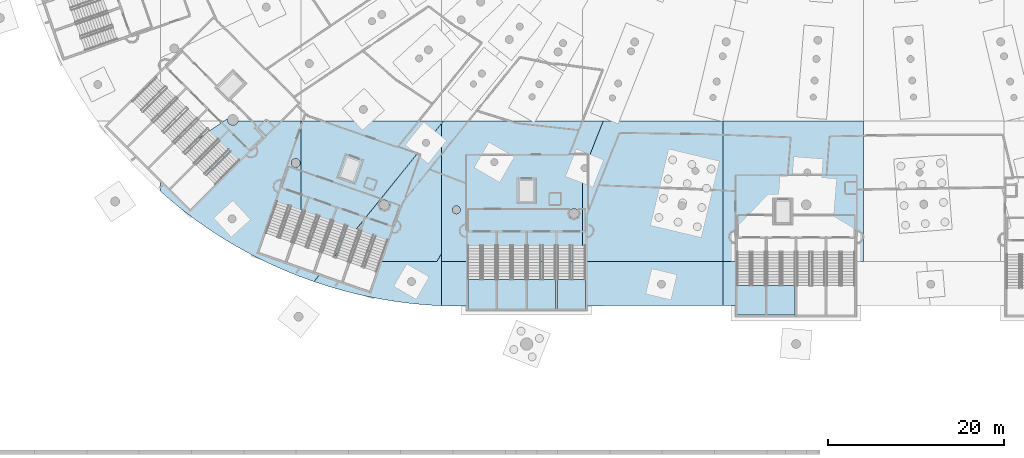
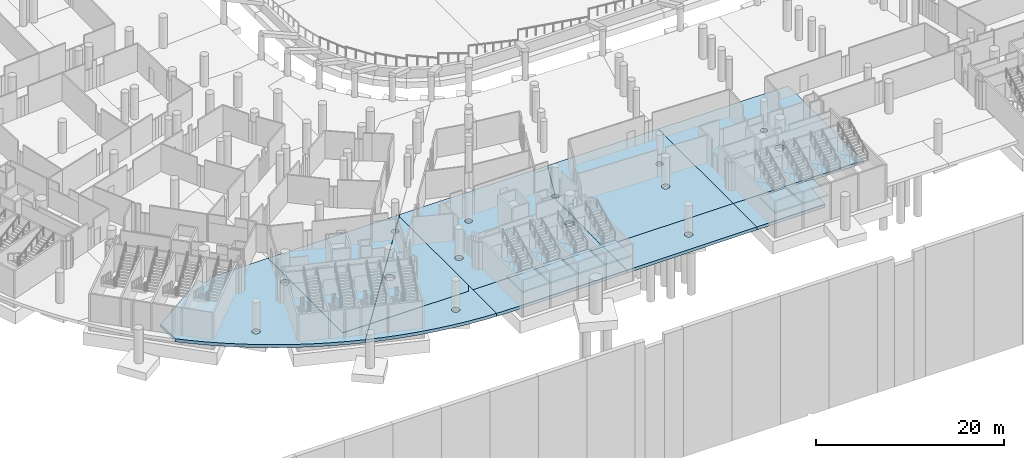
# One storey, part 14 of 142: 16 slabs, 6 elements without a shape of their own.
"""IFC4 building model written with IfcOpenShell, lengths in metres."""

from ifc_helpers import new_model, si_unit, direction, frame, origin, place, context, subcontext, project, spatial, polyline, outline, extrude, material, layer, layer_set, type_object, element, aggregate, save


model = new_model("IFC4")

# Units and contexts
model_context = context("Model", 3, precision=1e-05, world=origin(), true_north=direction((0.0, 1.0)))
body_context = subcontext(model_context, "Body", "Model", "MODEL_VIEW")
ifc_project = project(units=[si_unit("LENGTHUNIT", "METRE"), si_unit("AREAUNIT", "SQUARE_METRE"), si_unit("VOLUMEUNIT", "CUBIC_METRE"), si_unit("PLANEANGLEUNIT", "RADIAN"), si_unit("MASSUNIT", "GRAM", prefix="KILO")], contexts=[model_context])

# Site, building, storey
site_placement = place(None, origin())
site = spatial("IfcSite", under=ifc_project, at=site_placement, CompositionType="ELEMENT")
building_placement = place(site_placement, origin())
building = spatial("IfcBuilding", under=site, at=building_placement, Name="Meseta Stadium", CompositionType="ELEMENT")
storey_placement = place(building_placement, frame((0.0, 0.0, -4.0)))
storey = spatial("IfcBuildingStorey", under=building, at=storey_placement, Name="B1", CompositionType="ELEMENT", Elevation=-4.0)

# Slabs
ifc_material_1 = material(Name="Concrete C30/37", Category="concrete")
ifc_layer_1 = layer(ifc_material_1, 0.39990234375)
ifc_layer_set_1 = layer_set([ifc_layer_1], Name="Base slab 400")
slab_type_1 = type_object("IfcSlabType", Name="Base slab 400", PredefinedType="BASESLAB", material=ifc_layer_set_1)
slab_1_placement = place(storey_placement, frame((0.0, 0.0, -0.39990234375)))
element("IfcSlab", 1, at=slab_1_placement, inside=storey, type_object=slab_type_1, Name="Base slab B1 sector 35 panel 11", PredefinedType="BASESLAB", context=body_context, shape_type="SweptSolid", body=[
    extrude(outline(polyline([(-71.89306640625, -80.480224609375), (-72.006103515625, -80.44580078125), (-72.1103515625, -80.39013671875), (-72.20166015625, -80.315185546875), (-72.276611328125, -80.223876953125), (-72.33251953125, -80.11962890625), (-72.36669921875, -80.006591796875), (-72.37841796875, -79.888916015625), (-72.36669921875, -79.771240234375), (-72.357421875, -79.74072265625), (-80.0, -84.89990234375), (-80.0, -88.031494140625), (-79.118408203125, -88.815185546875), (-77.635986328125, -90.036376953125), (-76.108642578125, -91.201171875), (-74.53857421875, -92.3076171875), (-72.927978515625, -93.3544921875), (-71.279296875, -94.340087890625), (-69.594970703125, -95.262939453125), (-67.876953125, -96.121826171875), (-66.127685546875, -96.915771484375), (-64.35009765625, -97.643310546875), (-62.556396484375, -98.300048828125), (-60.7001953125, -96.0), (-64.0, -96.0), (-64.0, -80.0), (-71.18359375, -80.0), (-71.18408203125, -80.006591796875), (-71.218505859375, -80.11962890625), (-71.274169921875, -80.223876953125), (-71.34912109375, -80.315185546875), (-71.4404296875, -80.39013671875), (-71.544677734375, -80.44580078125), (-71.65771484375, -80.480224609375), (-71.775390625, -80.49169921875), (-71.89306640625, -80.480224609375)]), holes=[polyline([(-71.43896484375, -90.977783203125), (-71.413330078125, -91.0625), (-71.404541015625, -91.15087890625), (-71.413330078125, -91.239013671875), (-71.43896484375, -91.32373046875), (-71.480712890625, -91.402099609375), (-71.537109375, -91.470458984375), (-71.60546875, -91.52685546875), (-71.68359375, -91.568603515625), (-71.7685546875, -91.59423828125), (-71.856689453125, -91.60302734375), (-71.945068359375, -91.59423828125), (-72.02978515625, -91.568603515625), (-72.10791015625, -91.52685546875), (-72.176513671875, -91.470458984375), (-72.232666015625, -91.402099609375), (-72.2744140625, -91.32373046875), (-72.30029296875, -91.239013671875), (-72.308837890625, -91.15087890625), (-72.30029296875, -91.0625), (-72.2744140625, -90.977783203125), (-72.232666015625, -90.899658203125), (-72.176513671875, -90.8310546875), (-72.10791015625, -90.77490234375), (-72.02978515625, -90.73291015625), (-71.945068359375, -90.707275390625), (-71.856689453125, -90.698486328125), (-71.7685546875, -90.707275390625), (-71.68359375, -90.73291015625), (-71.60546875, -90.77490234375), (-71.537109375, -90.8310546875), (-71.480712890625, -90.899658203125), (-71.43896484375, -90.977783203125)]), polyline([(-64.157958984375, -84.600341796875), (-64.12939453125, -84.694580078125), (-64.11962890625, -84.79248046875), (-64.12939453125, -84.890625), (-64.157958984375, -84.98486328125), (-64.204345703125, -85.07177734375), (-64.266845703125, -85.147705078125), (-64.343017578125, -85.210205078125), (-64.429931640625, -85.256591796875), (-64.524169921875, -85.285400390625), (-64.6220703125, -85.294921875), (-64.72021484375, -85.285400390625), (-64.814453125, -85.256591796875), (-64.9013671875, -85.210205078125), (-64.977294921875, -85.147705078125), (-65.039794921875, -85.07177734375), (-65.086181640625, -84.98486328125), (-65.114990234375, -84.890625), (-65.12451171875, -84.79248046875), (-65.114990234375, -84.694580078125), (-65.086181640625, -84.600341796875), (-65.039794921875, -84.513427734375), (-64.977294921875, -84.437255859375), (-64.9013671875, -84.374755859375), (-64.814453125, -84.328369140625), (-64.72021484375, -84.2998046875), (-64.6220703125, -84.2900390625), (-64.524169921875, -84.2998046875), (-64.429931640625, -84.328369140625), (-64.343017578125, -84.374755859375), (-64.266845703125, -84.437255859375), (-64.204345703125, -84.513427734375), (-64.157958984375, -84.600341796875)])]), origin(), (0.0, 0.0, 1.0), 0.39990234375),
])
slab_2_placement = place(storey_placement, frame((0.0, 0.0, -0.39990234375)))
element("IfcSlab", 2, at=slab_2_placement, inside=storey, type_object=slab_type_1, Name="Base slab B1 sector 35 panel 12", PredefinedType="BASESLAB", context=body_context, shape_type="SweptSolid", body=[
    extrude(outline(polyline([(-49.547607421875, -82.18115234375), (-47.787353515625, -80.0), (-64.0, -80.0), (-64.0, -96.0), (-60.7001953125, -96.0), (-50.050048828125, -82.8037109375), (-50.0751953125, -82.782958984375), (-50.125244140625, -82.72216796875), (-50.16259765625, -82.652587890625), (-50.185302734375, -82.5771484375), (-50.193115234375, -82.498779296875), (-50.185302734375, -82.42041015625), (-50.16259765625, -82.344970703125), (-50.125244140625, -82.275390625), (-50.0751953125, -82.214599609375), (-50.014404296875, -82.16455078125), (-49.945068359375, -82.12744140625), (-49.86962890625, -82.1044921875), (-49.791015625, -82.096923828125), (-49.712646484375, -82.1044921875), (-49.63720703125, -82.12744140625), (-49.56787109375, -82.16455078125), (-49.547607421875, -82.18115234375)])), origin(), (0.0, 0.0, 1.0), 0.39990234375),
])
slab_3_placement = place(storey_placement, frame((0.0, 0.0, -0.39990234375)))
element("IfcSlab", 3, at=slab_3_placement, inside=storey, type_object=slab_type_1, Name="Base slab B1 sector 42 panel 01", PredefinedType="BASESLAB", context=body_context, shape_type="SweptSolid", body=[
    extrude(outline(polyline([(-62.536376953125, -98.306884765625), (-60.71923828125, -98.89599609375), (-58.87109375, -99.4189453125), (-57.004638671875, -99.872314453125), (-55.122314453125, -100.2548828125), (-53.227294921875, -100.56689453125), (-51.32177734375, -100.807373046875), (-49.408447265625, -100.975830078125), (-48.0, -101.046875), (-48.0, -95.060546875), (-48.54296875, -96.0), (-60.67431640625, -96.0), (-62.536376953125, -98.306884765625)]), holes=[polyline([(-51.023681640625, -98.467529296875), (-51.0654296875, -98.545654296875), (-51.12158203125, -98.6142578125), (-51.190185546875, -98.67041015625), (-51.268310546875, -98.712158203125), (-51.353271484375, -98.73779296875), (-51.44140625, -98.74658203125), (-51.52978515625, -98.73779296875), (-51.614501953125, -98.712158203125), (-51.692626953125, -98.67041015625), (-51.76123046875, -98.6142578125), (-51.8173828125, -98.545654296875), (-51.859130859375, -98.467529296875), (-51.885009765625, -98.382568359375), (-51.893798828125, -98.29443359375), (-51.885009765625, -98.206298828125), (-51.859130859375, -98.121337890625), (-51.8173828125, -98.043212890625), (-51.76123046875, -97.974609375), (-51.692626953125, -97.91845703125), (-51.614501953125, -97.876708984375), (-51.52978515625, -97.850830078125), (-51.44140625, -97.84228515625), (-51.353271484375, -97.850830078125), (-51.268310546875, -97.876708984375), (-51.190185546875, -97.91845703125), (-51.12158203125, -97.974609375), (-51.0654296875, -98.043212890625), (-51.023681640625, -98.121337890625), (-50.998046875, -98.206298828125), (-50.9892578125, -98.29443359375), (-50.998046875, -98.382568359375), (-51.023681640625, -98.467529296875)])]), origin(), (0.0, 0.0, 1.0), 0.39990234375),
])
slab_4_placement = place(storey_placement, frame((0.0, 0.0, -0.39990234375)))
element("IfcSlab", 4, at=slab_4_placement, inside=storey, type_object=slab_type_1, Name="Base slab B1 sector 42 panel 02", PredefinedType="BASESLAB", context=body_context, shape_type="SweptSolid", body=[
    extrude(outline(polyline([(-50.014404296875, -82.8330078125), (-50.03466796875, -82.81640625), (-60.67431640625, -96.0), (-48.54296875, -96.0), (-48.0, -95.060546875), (-48.0, -80.29541015625), (-49.5322265625, -82.19384765625), (-49.5068359375, -82.214599609375), (-49.456787109375, -82.275390625), (-49.419921875, -82.344970703125), (-49.39697265625, -82.42041015625), (-49.38916015625, -82.498779296875), (-49.39697265625, -82.5771484375), (-49.419921875, -82.652587890625), (-49.456787109375, -82.72216796875), (-49.5068359375, -82.782958984375), (-49.56787109375, -82.8330078125), (-49.63720703125, -82.8701171875), (-49.712646484375, -82.89306640625), (-49.791015625, -82.900634765625), (-49.86962890625, -82.89306640625), (-49.945068359375, -82.8701171875), (-50.014404296875, -82.8330078125)]), holes=[polyline([(-54.311767578125, -90.08984375), (-54.415283203125, -90.121337890625), (-54.523193359375, -90.132080078125), (-54.631103515625, -90.121337890625), (-54.734619140625, -90.08984375), (-54.830322265625, -90.038818359375), (-54.9140625, -89.97021484375), (-54.98291015625, -89.88623046875), (-55.03369140625, -89.790771484375), (-55.065185546875, -89.68701171875), (-55.075927734375, -89.579345703125), (-55.065185546875, -89.471435546875), (-55.03369140625, -89.367919921875), (-54.98291015625, -89.272216796875), (-54.9140625, -89.1884765625), (-54.830322265625, -89.119873046875), (-54.734619140625, -89.068603515625), (-54.631103515625, -89.037353515625), (-54.523193359375, -89.026611328125), (-54.415283203125, -89.037353515625), (-54.311767578125, -89.068603515625), (-54.21630859375, -89.119873046875), (-54.13232421875, -89.1884765625), (-54.063720703125, -89.272216796875), (-54.0126953125, -89.367919921875), (-53.981201171875, -89.471435546875), (-53.970703125, -89.579345703125), (-53.981201171875, -89.68701171875), (-54.0126953125, -89.790771484375), (-54.063720703125, -89.88623046875), (-54.13232421875, -89.97021484375), (-54.21630859375, -90.038818359375), (-54.311767578125, -90.08984375)])]), origin(), (0.0, 0.0, 1.0), 0.39990234375),
])
slab_5_placement = place(storey_placement, frame((0.0, 0.0, -0.39990234375)))
element("IfcSlab", 5, at=slab_5_placement, inside=storey, type_object=slab_type_1, Name="Base slab B1 sector 42 panel 03", PredefinedType="BASESLAB", context=body_context, shape_type="SweptSolid", body=[
    extrude(outline(polyline([(-48.0, -101.046875), (-47.490478515625, -101.072509765625), (-45.570068359375, -101.09716796875), (-37.964599609375, -101.070556640625), (-32.0, -101.0517578125), (-32.0, -96.0), (-48.0, -96.0), (-48.0, -101.046875)])), origin(), (0.0, 0.0, 1.0), 0.39990234375),
])
slab_6_placement = place(storey_placement, frame((0.0, 0.0, -0.39990234375)))
element("IfcSlab", 6, at=slab_6_placement, inside=storey, type_object=slab_type_1, Name="Base slab B1 sector 42 panel 04", PredefinedType="BASESLAB", context=body_context, shape_type="SweptSolid", body=[
    extrude(outline(polyline([(-32.131103515625, -85.29833984375), (-32.108154296875, -85.222900390625), (-32.071044921875, -85.153564453125), (-32.02099609375, -85.092529296875), (-31.960205078125, -85.04248046875), (-31.890625, -85.005615234375), (-31.815185546875, -84.982666015625), (-31.73681640625, -84.974853515625), (-31.658447265625, -84.982666015625), (-31.5888671875, -85.003662109375), (-29.603271484375, -80.0), (-47.76171875, -80.0), (-48.0, -80.29541015625), (-48.0, -96.0), (-32.0, -96.0), (-32.0, -86.0400390625), (-31.885009765625, -85.75), (-31.890625, -85.748291015625), (-31.960205078125, -85.7109375), (-32.02099609375, -85.660888671875), (-32.071044921875, -85.60009765625), (-32.108154296875, -85.530517578125), (-32.131103515625, -85.455078125), (-32.138916015625, -85.376708984375), (-32.131103515625, -85.29833984375)]), holes=[polyline([(-42.349609375, -84.48388671875), (-42.2998046875, -84.423095703125), (-42.23876953125, -84.373046875), (-42.169189453125, -84.3359375), (-42.093994140625, -84.31298828125), (-42.015380859375, -84.305419921875), (-41.93701171875, -84.31298828125), (-41.86181640625, -84.3359375), (-41.792236328125, -84.373046875), (-41.731201171875, -84.423095703125), (-41.681396484375, -84.48388671875), (-41.644287109375, -84.553466796875), (-41.621337890625, -84.62890625), (-41.613525390625, -84.707275390625), (-41.621337890625, -84.785888671875), (-41.644287109375, -84.861083984375), (-41.681396484375, -84.9306640625), (-41.731201171875, -84.99169921875), (-41.792236328125, -85.04150390625), (-41.86181640625, -85.07861328125), (-41.93701171875, -85.1015625), (-42.015380859375, -85.109375), (-42.093994140625, -85.1015625), (-42.169189453125, -85.07861328125), (-42.23876953125, -85.04150390625), (-42.2998046875, -84.99169921875), (-42.349609375, -84.9306640625), (-42.386962890625, -84.861083984375), (-42.40966796875, -84.785888671875), (-42.41748046875, -84.707275390625), (-42.40966796875, -84.62890625), (-42.386962890625, -84.553466796875), (-42.349609375, -84.48388671875)]), polyline([(-45.915283203125, -89.953125), (-45.8896484375, -90.0380859375), (-45.881103515625, -90.126220703125), (-45.8896484375, -90.214599609375), (-45.915283203125, -90.29931640625), (-45.957275390625, -90.37744140625), (-46.013427734375, -90.446044921875), (-46.081787109375, -90.502197265625), (-46.16015625, -90.5439453125), (-46.244873046875, -90.569580078125), (-46.333251953125, -90.578369140625), (-46.42138671875, -90.569580078125), (-46.506103515625, -90.5439453125), (-46.58447265625, -90.502197265625), (-46.65283203125, -90.446044921875), (-46.708984375, -90.37744140625), (-46.7509765625, -90.29931640625), (-46.776611328125, -90.214599609375), (-46.785400390625, -90.126220703125), (-46.776611328125, -90.0380859375), (-46.7509765625, -89.953125), (-46.708984375, -89.875), (-46.65283203125, -89.806396484375), (-46.58447265625, -89.750244140625), (-46.506103515625, -89.70849609375), (-46.42138671875, -89.6826171875), (-46.333251953125, -89.674072265625), (-46.244873046875, -89.6826171875), (-46.16015625, -89.70849609375), (-46.081787109375, -89.750244140625), (-46.013427734375, -89.806396484375), (-45.957275390625, -89.875), (-45.915283203125, -89.953125)]), polyline([(-32.391357421875, -90.551025390625), (-32.40185546875, -90.658935546875), (-32.433349609375, -90.7626953125), (-32.484619140625, -90.858154296875), (-32.55322265625, -90.94189453125), (-32.636962890625, -91.010498046875), (-32.732421875, -91.061767578125), (-32.836181640625, -91.093017578125), (-32.944091796875, -91.103759765625), (-33.0517578125, -91.093017578125), (-33.155517578125, -91.061767578125), (-33.2509765625, -91.010498046875), (-33.334716796875, -90.94189453125), (-33.403564453125, -90.858154296875), (-33.45458984375, -90.7626953125), (-33.486083984375, -90.658935546875), (-33.49658203125, -90.551025390625), (-33.486083984375, -90.443359375), (-33.45458984375, -90.339599609375), (-33.403564453125, -90.243896484375), (-33.334716796875, -90.160400390625), (-33.2509765625, -90.091552734375), (-33.155517578125, -90.04052734375), (-33.0517578125, -90.009033203125), (-32.944091796875, -89.998291015625), (-32.836181640625, -90.009033203125), (-32.732421875, -90.04052734375), (-32.636962890625, -90.091552734375), (-32.55322265625, -90.160400390625), (-32.484619140625, -90.243896484375), (-32.433349609375, -90.339599609375), (-32.40185546875, -90.443359375), (-32.391357421875, -90.551025390625)])]), origin(), (0.0, 0.0, 1.0), 0.39990234375),
])
slab_7_placement = place(storey_placement, frame((0.0, 0.0, -0.39990234375)))
element("IfcSlab", 7, at=slab_7_placement, inside=storey, type_object=slab_type_1, Name="Base slab B1 sector 42 panel 06", PredefinedType="BASESLAB", context=body_context, shape_type="SweptSolid", body=[
    extrude(outline(polyline([(-32.0, -96.0), (-32.0, -101.0517578125), (-27.831787109375, -101.039794921875), (-22.768310546875, -101.027099609375), (-16.0, -101.013916015625), (-16.0, -96.0), (-32.0, -96.0)]), holes=[polyline([(-22.680419921875, -98.919677734375), (-22.748779296875, -98.97607421875), (-22.826904296875, -99.017822265625), (-22.911865234375, -99.04345703125), (-23.0, -99.05224609375), (-23.088134765625, -99.04345703125), (-23.173095703125, -99.017822265625), (-23.251220703125, -98.97607421875), (-23.319580078125, -98.919677734375), (-23.3759765625, -98.851318359375), (-23.417724609375, -98.77294921875), (-23.443603515625, -98.688232421875), (-23.4521484375, -98.60009765625), (-23.443603515625, -98.51171875), (-23.417724609375, -98.427001953125), (-23.3759765625, -98.348876953125), (-23.319580078125, -98.2802734375), (-23.251220703125, -98.22412109375), (-23.173095703125, -98.18212890625), (-23.088134765625, -98.156494140625), (-23.0, -98.147705078125), (-22.911865234375, -98.156494140625), (-22.826904296875, -98.18212890625), (-22.748779296875, -98.22412109375), (-22.680419921875, -98.2802734375), (-22.6240234375, -98.348876953125), (-22.582275390625, -98.427001953125), (-22.556396484375, -98.51171875), (-22.5478515625, -98.60009765625), (-22.556396484375, -98.688232421875), (-22.582275390625, -98.77294921875), (-22.6240234375, -98.851318359375), (-22.680419921875, -98.919677734375)])]), origin(), (0.0, 0.0, 1.0), 0.39990234375),
])
slab_8_placement = place(storey_placement, frame((0.0, 0.0, -0.39990234375)))
element("IfcSlab", 8, at=slab_8_placement, inside=storey, type_object=slab_type_1, Name="Base slab B1 sector 42 panel 07", PredefinedType="BASESLAB", context=body_context, shape_type="SweptSolid", body=[
    extrude(outline(polyline([(-31.5830078125, -85.748291015625), (-31.658447265625, -85.77099609375), (-31.73681640625, -85.77880859375), (-31.815185546875, -85.77099609375), (-31.885009765625, -85.75), (-32.0, -86.0400390625), (-32.0, -96.0), (-16.0, -96.0), (-16.0, -80.0), (-29.603271484375, -80.0), (-31.5888671875, -85.003662109375), (-31.5830078125, -85.005615234375), (-31.513427734375, -85.04248046875), (-31.45263671875, -85.092529296875), (-31.402587890625, -85.153564453125), (-31.365478515625, -85.222900390625), (-31.342529296875, -85.29833984375), (-31.3349609375, -85.376708984375), (-31.342529296875, -85.455078125), (-31.365478515625, -85.530517578125), (-31.402587890625, -85.60009765625), (-31.45263671875, -85.660888671875), (-31.513427734375, -85.7109375), (-31.5830078125, -85.748291015625)]), holes=[polyline([(-19.11865234375, -85.29638671875), (-19.040283203125, -85.303955078125), (-18.96484375, -85.326904296875), (-18.895263671875, -85.364013671875), (-18.83447265625, -85.4140625), (-18.784423828125, -85.474853515625), (-18.747314453125, -85.54443359375), (-18.724365234375, -85.619873046875), (-18.716796875, -85.6982421875), (-18.724365234375, -85.776611328125), (-18.747314453125, -85.85205078125), (-18.784423828125, -85.92138671875), (-18.83447265625, -85.982421875), (-18.895263671875, -86.032470703125), (-18.96484375, -86.069580078125), (-19.040283203125, -86.09228515625), (-19.11865234375, -86.10009765625), (-19.197021484375, -86.09228515625), (-19.2724609375, -86.069580078125), (-19.341796875, -86.032470703125), (-19.40283203125, -85.982421875), (-19.452880859375, -85.92138671875), (-19.489990234375, -85.85205078125), (-19.5126953125, -85.776611328125), (-19.5205078125, -85.6982421875), (-19.5126953125, -85.619873046875), (-19.489990234375, -85.54443359375), (-19.452880859375, -85.474853515625), (-19.40283203125, -85.4140625), (-19.341796875, -85.364013671875), (-19.2724609375, -85.326904296875), (-19.197021484375, -85.303955078125), (-19.11865234375, -85.29638671875)]), polyline([(-20.329833984375, -89.97607421875), (-20.398193359375, -90.0322265625), (-20.4765625, -90.073974609375), (-20.561279296875, -90.099853515625), (-20.649658203125, -90.1083984375), (-20.73779296875, -90.099853515625), (-20.822509765625, -90.073974609375), (-20.90087890625, -90.0322265625), (-20.96923828125, -89.97607421875), (-21.025390625, -89.907470703125), (-21.0673828125, -89.829345703125), (-21.093017578125, -89.744384765625), (-21.101806640625, -89.65625), (-21.093017578125, -89.568115234375), (-21.0673828125, -89.483154296875), (-21.025390625, -89.405029296875), (-20.96923828125, -89.336669921875), (-20.90087890625, -89.2802734375), (-20.822509765625, -89.238525390625), (-20.73779296875, -89.212890625), (-20.649658203125, -89.2041015625), (-20.561279296875, -89.212890625), (-20.4765625, -89.238525390625), (-20.398193359375, -89.2802734375), (-20.329833984375, -89.336669921875), (-20.273681640625, -89.405029296875), (-20.231689453125, -89.483154296875), (-20.2060546875, -89.568115234375), (-20.197509765625, -89.65625), (-20.2060546875, -89.744384765625), (-20.231689453125, -89.829345703125), (-20.273681640625, -89.907470703125), (-20.329833984375, -89.97607421875)])]), origin(), (0.0, 0.0, 1.0), 0.39990234375),
])
slab_9_placement = place(storey_placement, frame((0.0, 0.0, -0.39990234375)))
element("IfcSlab", 9, at=slab_9_placement, inside=storey, type_object=slab_type_1, Name="Base slab B1 sector 42 panel 09", PredefinedType="BASESLAB", context=body_context, shape_type="SweptSolid", body=[
    extrude(outline(polyline([(-12.646484375, -101.008544921875), (-7.587646484375, -101.003173828125), (-7.1904296875, -96.0), (-16.0, -96.0), (-16.0, -101.013916015625), (-12.646484375, -101.008544921875)])), origin(), (0.0, 0.0, 1.0), 0.39990234375),
])
slab_10_placement = place(storey_placement, frame((0.0, 0.0, -0.39990234375)))
element("IfcSlab", 10, at=slab_10_placement, inside=storey, type_object=slab_type_1, Name="Base slab B1 sector 42 panel 10", PredefinedType="BASESLAB", context=body_context, shape_type="SweptSolid", body=[
    extrude(outline(polyline([(-16.0, -80.0), (-16.0, -96.0), (0.0, -96.0), (0.0, -80.0), (-16.0, -80.0)]), holes=[polyline([(-6.9765625, -89.239501953125), (-6.90771484375, -89.155517578125), (-6.823974609375, -89.0869140625), (-6.728515625, -89.035888671875), (-6.624755859375, -89.00439453125), (-6.51708984375, -88.993896484375), (-6.4091796875, -89.00439453125), (-6.305419921875, -89.035888671875), (-6.2099609375, -89.0869140625), (-6.126220703125, -89.155517578125), (-6.0576171875, -89.239501953125), (-6.00634765625, -89.3349609375), (-5.974853515625, -89.438720703125), (-5.96435546875, -89.54638671875), (-5.974853515625, -89.654296875), (-6.00634765625, -89.7578125), (-6.0576171875, -89.853515625), (-6.126220703125, -89.937255859375), (-6.2099609375, -90.005859375), (-6.305419921875, -90.056884765625), (-6.4091796875, -90.08837890625), (-6.51708984375, -90.09912109375), (-6.624755859375, -90.08837890625), (-6.728515625, -90.056884765625), (-6.823974609375, -90.005859375), (-6.90771484375, -89.937255859375), (-6.9765625, -89.853515625), (-7.027587890625, -89.7578125), (-7.05908203125, -89.654296875), (-7.069580078125, -89.54638671875), (-7.05908203125, -89.438720703125), (-7.027587890625, -89.3349609375), (-6.9765625, -89.239501953125)]), polyline([(-6.465576171875, -85.482421875), (-6.386962890625, -85.474853515625), (-6.30859375, -85.482421875), (-6.233154296875, -85.50537109375), (-6.163818359375, -85.54248046875), (-6.102783203125, -85.592529296875), (-6.052734375, -85.6533203125), (-6.015625, -85.722900390625), (-5.992919921875, -85.79833984375), (-5.985107421875, -85.876708984375), (-5.992919921875, -85.955078125), (-6.015625, -86.030517578125), (-6.052734375, -86.10009765625), (-6.102783203125, -86.160888671875), (-6.163818359375, -86.2109375), (-6.233154296875, -86.248046875), (-6.30859375, -86.27099609375), (-6.386962890625, -86.27880859375), (-6.465576171875, -86.27099609375), (-6.541015625, -86.248046875), (-6.6103515625, -86.2109375), (-6.67138671875, -86.160888671875), (-6.72119140625, -86.10009765625), (-6.75830078125, -86.030517578125), (-6.78125, -85.955078125), (-6.7890625, -85.876708984375), (-6.78125, -85.79833984375), (-6.75830078125, -85.722900390625), (-6.72119140625, -85.6533203125), (-6.67138671875, -85.592529296875), (-6.6103515625, -85.54248046875), (-6.541015625, -85.50537109375), (-6.465576171875, -85.482421875)])]), origin(), (0.0, 0.0, 1.0), 0.39990234375),
])

# Stair, slab
ifc_material_2 = material(Name="Concrete C40/50", Category="concrete")
stair_type = type_object("IfcStairType", Name="Exit stair 2 flights 154 mm risers", PredefinedType="HALF_TURN_STAIR", material=ifc_material_2)
stair_1_placement = place(storey_placement, origin())
stair_1 = element("IfcStair", 11, at=stair_1_placement, inside=storey, type_object=stair_type, Name="ST89 B1", PredefinedType="HALF_TURN_STAIR")
ifc_material_3 = material(Name="Concrete C40/50", Category="concrete")
ifc_layer_2 = layer(ifc_material_3, 0.199951171875)
ifc_layer_set_2 = layer_set([ifc_layer_2], Name="Stair landing 200")
slab_type_2 = type_object("IfcSlabType", Name="Stair landing 200", PredefinedType="LANDING", material=ifc_layer_set_2)
slab_11_placement = place(storey_placement, frame((0.0, 0.0, 1.800048828125)))
slab_11 = element("IfcSlab", 12, at=slab_11_placement, type_object=slab_type_2, Name="ST89 B1 landing 1", PredefinedType="LANDING", context=body_context, shape_type="SweptSolid", body=[
    extrude(outline(polyline([(-45.033447265625, -98.030029296875), (-45.033447265625, -101.39990234375), (-41.833251953125, -101.39990234375), (-41.833251953125, -98.030029296875), (-45.033447265625, -98.030029296875)])), origin(), (0.0, 0.0, 1.0), 0.199951171875),
])
aggregate(stair_1, [slab_11])

stair_2_placement = place(storey_placement, origin())
stair_2 = element("IfcStair", 13, at=stair_2_placement, inside=storey, type_object=stair_type, Name="ST90 B1", PredefinedType="HALF_TURN_STAIR")
slab_12_placement = place(storey_placement, frame((0.0, 0.0, 1.800048828125)))
slab_12 = element("IfcSlab", 14, at=slab_12_placement, type_object=slab_type_2, Name="ST90 B1 landing 1", PredefinedType="LANDING", context=body_context, shape_type="SweptSolid", body=[
    extrude(outline(polyline([(-41.63330078125, -98.030029296875), (-41.63330078125, -101.39990234375), (-38.433349609375, -101.39990234375), (-38.433349609375, -98.030029296875), (-41.63330078125, -98.030029296875)])), origin(), (0.0, 0.0, 1.0), 0.199951171875),
])
aggregate(stair_2, [slab_12])

stair_3_placement = place(storey_placement, origin())
stair_3 = element("IfcStair", 15, at=stair_3_placement, inside=storey, type_object=stair_type, Name="ST91 B1", PredefinedType="HALF_TURN_STAIR")
slab_13_placement = place(storey_placement, frame((0.0, 0.0, 1.800048828125)))
slab_13 = element("IfcSlab", 16, at=slab_13_placement, type_object=slab_type_2, Name="ST91 B1 landing 1", PredefinedType="LANDING", context=body_context, shape_type="SweptSolid", body=[
    extrude(outline(polyline([(-38.2333984375, -98.030029296875), (-38.2333984375, -101.39990234375), (-35.033447265625, -101.39990234375), (-35.033447265625, -98.030029296875), (-38.2333984375, -98.030029296875)])), origin(), (0.0, 0.0, 1.0), 0.199951171875),
])
aggregate(stair_3, [slab_13])

stair_4_placement = place(storey_placement, origin())
stair_4 = element("IfcStair", 17, at=stair_4_placement, inside=storey, type_object=stair_type, Name="ST92 B1", PredefinedType="HALF_TURN_STAIR")
slab_14_placement = place(storey_placement, frame((0.0, 0.0, 1.800048828125)))
slab_14 = element("IfcSlab", 18, at=slab_14_placement, type_object=slab_type_2, Name="ST92 B1 landing 1", PredefinedType="LANDING", context=body_context, shape_type="SweptSolid", body=[
    extrude(outline(polyline([(-34.833251953125, -98.030029296875), (-34.833251953125, -101.39990234375), (-31.63330078125, -101.39990234375), (-31.63330078125, -98.030029296875), (-34.833251953125, -98.030029296875)])), origin(), (0.0, 0.0, 1.0), 0.199951171875),
])
aggregate(stair_4, [slab_14])

stair_5_placement = place(storey_placement, origin())
stair_5 = element("IfcStair", 19, at=stair_5_placement, inside=storey, type_object=stair_type, Name="ST93 B1", PredefinedType="HALF_TURN_STAIR")
slab_15_placement = place(storey_placement, frame((0.0, 0.0, 1.800048828125)))
slab_15 = element("IfcSlab", 20, at=slab_15_placement, type_object=slab_type_2, Name="ST93 B1 landing 1", PredefinedType="LANDING", context=body_context, shape_type="SweptSolid", body=[
    extrude(outline(polyline([(-14.36669921875, -98.72998046875), (-14.36669921875, -102.10009765625), (-11.166748046875, -102.10009765625), (-11.166748046875, -98.72998046875), (-14.36669921875, -98.72998046875)])), origin(), (0.0, 0.0, 1.0), 0.199951171875),
])
aggregate(stair_5, [slab_15])

stair_6_placement = place(storey_placement, origin())
stair_6 = element("IfcStair", 21, at=stair_6_placement, inside=storey, type_object=stair_type, Name="ST94 B1", PredefinedType="HALF_TURN_STAIR")
slab_16_placement = place(storey_placement, frame((0.0, 0.0, 1.800048828125)))
slab_16 = element("IfcSlab", 22, at=slab_16_placement, type_object=slab_type_2, Name="ST94 B1 landing 1", PredefinedType="LANDING", context=body_context, shape_type="SweptSolid", body=[
    extrude(outline(polyline([(-10.966552734375, -98.72998046875), (-10.966552734375, -102.10009765625), (-7.7666015625, -102.10009765625), (-7.7666015625, -98.72998046875), (-10.966552734375, -98.72998046875)])), origin(), (0.0, 0.0, 1.0), 0.199951171875),
])
aggregate(stair_6, [slab_16])

save(model, "model.ifc")
